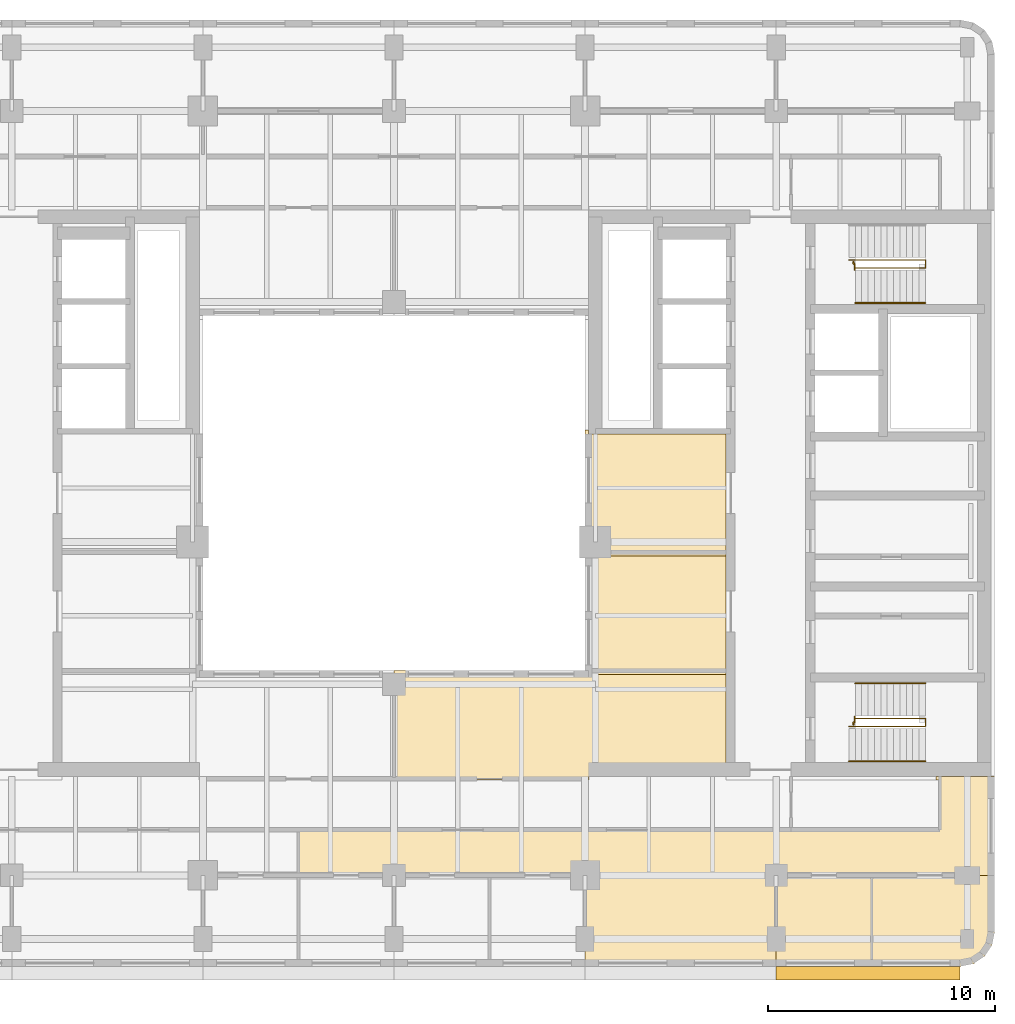
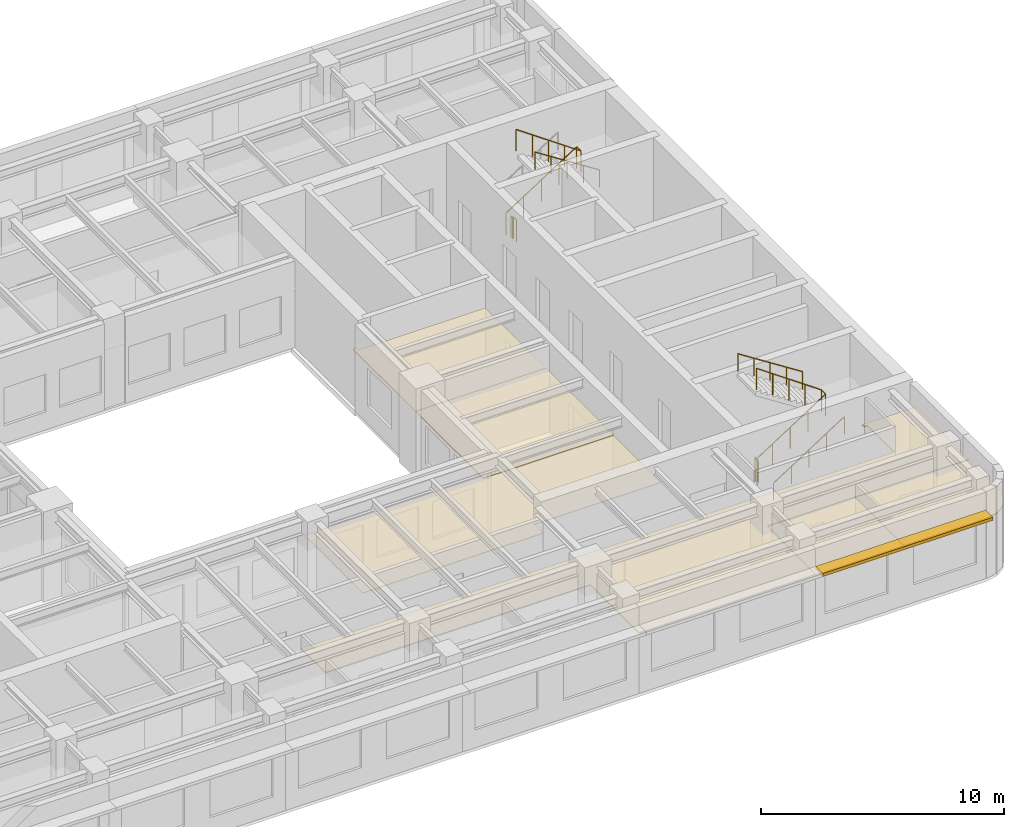
# One storey, part 10 of 11: 7 railings, 6 coverings, 1 shading device.
"""IFC4 building model written with IfcOpenShell, lengths in metres."""

from ifc_helpers import new_model, si_unit, direction, frame, origin, origin_2d, place, context, subcontext, project, spatial, polyline, rectangle, circle, outline, extrude, material, layer, layer_set, type_object, element, save


model = new_model("IFC4")

# Units and contexts
model_context = context("Model", 3, precision=1e-05, world=origin(), true_north=direction((0.0, 1.0)))
body_context = subcontext(model_context, "Body", "Model", "MODEL_VIEW")
ifc_project = project(units=[si_unit("LENGTHUNIT", "METRE"), si_unit("AREAUNIT", "SQUARE_METRE"), si_unit("VOLUMEUNIT", "CUBIC_METRE"), si_unit("PLANEANGLEUNIT", "RADIAN"), si_unit("MASSUNIT", "GRAM", prefix="KILO")], contexts=[model_context])

# Site, building, storey
site_placement = place(None, origin())
site = spatial("IfcSite", under=ifc_project, at=site_placement, CompositionType="ELEMENT")
building_placement = place(site_placement, origin())
building = spatial("IfcBuilding", under=site, at=building_placement, Name="Claustro Exchange Tower", CompositionType="ELEMENT")
storey_placement = place(building_placement, frame((0.0, 0.0, 263.699951171875)))
storey = spatial("IfcBuildingStorey", under=building, at=storey_placement, Name="L60", CompositionType="ELEMENT", Elevation=263.699951171875)

# Coverings
ifc_material_1 = material(Name="Gypsum board ceiling", Category="gypsum board")
ifc_layer_1 = layer(ifc_material_1, 0.02490234375)
ifc_layer_set_1 = layer_set([ifc_layer_1], Name="Gypsum board ceiling")
covering_type_1 = type_object("IfcCoveringType", Name="CL2 plasterboard ceiling", PredefinedType="CEILING", material=ifc_layer_set_1)
covering_1_placement = place(storey_placement, frame((0.0, 0.0, 3.0)))
element("IfcCovering", 1, at=covering_1_placement, inside=storey, type_object=covering_type_1, Name="Ceiling CL2 L60-06", PredefinedType="CEILING", context=body_context, shape_type="SweptSolid", body=[
    extrude(outline(polyline([(42.0, 4.39990234375), (46.199951171875, 4.39990234375), (46.199951171875, 8.39990234375), (42.0, 8.39990234375), (42.0, 4.39990234375)])), origin(), (0.0, 0.0, 1.0), 0.025146484375),
])
covering_2_placement = place(storey_placement, frame((0.0, 0.0, 3.0)))
element("IfcCovering", 2, at=covering_2_placement, inside=storey, type_object=covering_type_1, Name="Ceiling CL2 L60-07", PredefinedType="CEILING", context=body_context, shape_type="SweptSolid", body=[
    extrude(outline(polyline([(51.60009765625, 5.89990234375), (51.60009765625, 8.39990234375), (46.199951171875, 8.39990234375), (46.199951171875, 4.39990234375), (50.10009765625, 4.39990234375), (50.674072265625, 4.51416015625), (51.16064453125, 4.83935546875), (51.48583984375, 5.325927734375), (51.60009765625, 5.89990234375)])), origin(), (0.0, 0.0, 1.0), 0.025146484375),
])
covering_3_placement = place(storey_placement, frame((0.0, 0.0, 3.0)))
element("IfcCovering", 3, at=covering_3_placement, inside=storey, type_object=covering_type_1, Name="Ceiling CL2 L60-13", PredefinedType="CEILING", context=body_context, shape_type="SweptSolid", body=[
    extrude(outline(polyline([(39.800048828125, 13.330078125), (39.800048828125, 17.570068359375), (33.60009765625, 17.570068359375), (33.60009765625, 17.39990234375), (25.199951171875, 17.39990234375), (25.199951171875, 12.60009765625), (33.77001953125, 12.60009765625), (33.77001953125, 13.330078125), (39.800048828125, 13.330078125)])), origin(), (0.0, 0.0, 1.0), 0.025146484375),
])
covering_4_placement = place(storey_placement, frame((0.0, 0.0, 3.0)))
element("IfcCovering", 4, at=covering_4_placement, inside=storey, type_object=covering_type_1, Name="Ceiling CL2 L60-17", PredefinedType="CEILING", context=body_context, shape_type="SweptSolid", body=[
    extrude(outline(polyline([(33.60009765625, 27.969970703125), (33.60009765625, 22.429931640625), (39.800048828125, 22.429931640625), (39.800048828125, 27.800048828125), (33.75, 27.800048828125), (33.75, 27.969970703125), (33.60009765625, 27.969970703125)])), origin(), (0.0, 0.0, 1.0), 0.025146484375),
])
ifc_material_2 = material(Name="Oak slats on acoustic backing", Category="wood")
ifc_layer_2 = layer(ifc_material_2, 0.050048828125)
ifc_layer_set_2 = layer_set([ifc_layer_2], Name="Oak slats on acoustic backing")
covering_type_2 = type_object("IfcCoveringType", Name="CL3 timber slat ceiling", PredefinedType="CEILING", material=ifc_layer_set_2)
covering_5_placement = place(storey_placement, frame((0.0, 0.0, 3.0)))
element("IfcCovering", 5, at=covering_5_placement, inside=storey, type_object=covering_type_2, Name="Ceiling CL3 L60-09", PredefinedType="CEILING", context=body_context, shape_type="SweptSolid", body=[
    extrude(outline(polyline([(51.60009765625, 8.39990234375), (51.60009765625, 12.77001953125), (51.449951171875, 12.77001953125), (51.449951171875, 12.75), (49.030029296875, 12.75), (49.030029296875, 12.60009765625), (49.199951171875, 12.60009765625), (49.199951171875, 10.39990234375), (21.0, 10.39990234375), (21.0, 8.39990234375), (33.60009765625, 8.39990234375), (33.60009765625, 4.39990234375), (42.0, 4.39990234375), (42.0, 8.39990234375), (51.60009765625, 8.39990234375)])), origin(), (0.0, 0.0, 1.0), 0.050048828125),
])
covering_6_placement = place(storey_placement, frame((0.0, 0.0, 3.0)))
element("IfcCovering", 6, at=covering_6_placement, inside=storey, type_object=covering_type_2, Name="Ceiling CL3 L60-15", PredefinedType="CEILING", context=body_context, shape_type="SweptSolid", body=[
    extrude(outline(polyline([(33.60009765625, 22.77001953125), (33.60009765625, 17.22998046875), (39.800048828125, 17.22998046875), (39.800048828125, 22.77001953125), (33.60009765625, 22.77001953125)])), origin(), (0.0, 0.0, 1.0), 0.050048828125),
])

# Railings
ifc_material_3 = material(Name="Steel balustrade, painted", Category="steel")
railing_type_1 = type_object("IfcRailingType", Name="GR2 1100 steel stair guard", PredefinedType="GUARDRAIL", material=ifc_material_3)
railing_1_placement = place(storey_placement, frame((45.199951171875, 14.949951171875, 0.179931640625)))
element("IfcRailing", 7, at=railing_1_placement, inside=storey, type_object=railing_type_1, Name="Stair well guard GR2 stair STEA L60", PredefinedType="GUARDRAIL", context=body_context, shape_type="SweptSolid", body=[
    extrude(circle(Radius=0.02392578125, at=origin_2d()), frame((0.0, 0.0, 1.076171875), z_axis=(0.8411685463, 0.0, 0.540773036232), x_axis=(0.0, 1.0, 0.0)), (0.0, 0.0, 1.0), 3.99462890625),
    extrude(circle(Radius=0.02392578125, at=origin_2d()), frame((3.360107421875, 0.0, 3.236328125), z_axis=(0.0, 1.0, 0.0), x_axis=(-1.0, 0.0, 0.0)), (0.0, 0.0, 1.0), 0.35009765625),
    extrude(circle(Radius=0.02392578125, at=origin_2d()), frame((3.360107421875, 0.35009765625, 3.236328125), z_axis=(-0.8187499073, 0.0, 0.574150319426), x_axis=(0.0, -1.0, 0.0)), (0.0, 0.0, 1.0), 3.761962890625),
    extrude(circle(Radius=0.02099609375, at=origin_2d()), origin(), (0.0, 0.0, 1.0), 1.052001953125),
    extrude(circle(Radius=0.02099609375, at=origin_2d()), frame((0.840087890625, 0.0, 0.5400390625)), (0.0, 0.0, 1.0), 1.052001953125),
    extrude(circle(Radius=0.02099609375, at=origin_2d()), frame((1.68017578125, 0.0, 1.080078125)), (0.0, 0.0, 1.0), 1.052001953125),
    extrude(circle(Radius=0.02099609375, at=origin_2d()), frame((2.52001953125, 0.0, 1.6201171875)), (0.0, 0.0, 1.0), 1.052001953125),
    extrude(circle(Radius=0.02099609375, at=origin_2d()), frame((3.360107421875, 0.0, 2.16015625)), (0.0, 0.0, 1.0), 1.052001953125),
    extrude(circle(Radius=0.02099609375, at=origin_2d()), frame((3.360107421875, 0.35009765625, 2.16015625)), (0.0, 0.0, 1.0), 1.052001953125),
    extrude(circle(Radius=0.02099609375, at=origin_2d()), frame((2.590087890625, 0.35009765625, 2.7001953125)), (0.0, 0.0, 1.0), 1.052001953125),
    extrude(circle(Radius=0.02099609375, at=origin_2d()), frame((1.820068359375, 0.35009765625, 3.240234375)), (0.0, 0.0, 1.0), 1.052001953125),
    extrude(circle(Radius=0.02099609375, at=origin_2d()), frame((1.050048828125, 0.35009765625, 3.780029296875)), (0.0, 0.0, 1.0), 1.052001953125),
    extrude(circle(Radius=0.02099609375, at=origin_2d()), frame((0.280029296875, 0.35009765625, 4.320068359375)), (0.0, 0.0, 1.0), 1.052001953125),
])
railing_2_placement = place(storey_placement, frame((45.39990234375, 15.02001953125, 0.0)))
element("IfcRailing", 8, at=railing_2_placement, inside=storey, type_object=railing_type_1, Name="Stair guard GR2 STEA L60", PredefinedType="GUARDRAIL", context=body_context, shape_type="SweptSolid", body=[
    extrude(circle(Radius=0.02392578125, at=origin_2d()), frame((0.0, 0.0, 1.076171875), z_axis=(0.0, 1.0, 0.0), x_axis=(-1.0, 0.0, 0.0)), (0.0, 0.0, 1.0), 0.10498046875),
    extrude(circle(Radius=0.02392578125, at=origin_2d()), frame((0.0, 0.10498046875, 1.076171875), z_axis=(1.0, 0.0, 0.0), x_axis=(0.0, 1.0, 0.0)), (0.0, 0.0, 1.0), 0.05517578125),
    extrude(circle(Radius=0.02392578125, at=origin_2d()), frame((0.05517578125, 0.10498046875, 1.076171875), z_axis=(0.0, 1.0, 0.0), x_axis=(-1.0, 0.0, 0.0)), (0.0, 0.0, 1.0), 0.2548828125),
    extrude(circle(Radius=0.02099609375, at=origin_2d()), origin(), (0.0, 0.0, 1.0), 1.052001953125),
    extrude(circle(Radius=0.02099609375, at=origin_2d()), frame((0.0, 0.10498046875, 0.0)), (0.0, 0.0, 1.0), 1.052001953125),
    extrude(circle(Radius=0.02099609375, at=origin_2d()), frame((0.05517578125, 0.10498046875, 0.0)), (0.0, 0.0, 1.0), 1.052001953125),
    extrude(circle(Radius=0.02099609375, at=origin_2d()), frame((0.05517578125, 0.35986328125, 0.0)), (0.0, 0.0, 1.0), 1.052001953125),
])
railing_3_placement = place(storey_placement, frame((45.199951171875, 35.449951171875, 0.179931640625)))
element("IfcRailing", 9, at=railing_3_placement, inside=storey, type_object=railing_type_1, Name="Stair well guard GR2 stair STEB L60", PredefinedType="GUARDRAIL", context=body_context, shape_type="SweptSolid", body=[
    extrude(circle(Radius=0.02392578125, at=origin_2d()), frame((0.0, 0.0, 1.076171875), z_axis=(0.8411685463, 0.0, 0.540773036232), x_axis=(0.0, 1.0, 0.0)), (0.0, 0.0, 1.0), 3.99462890625),
    extrude(circle(Radius=0.02392578125, at=origin_2d()), frame((3.360107421875, 0.0, 3.236328125), z_axis=(0.0, -1.0, 0.0), x_axis=(1.0, 0.0, 0.0)), (0.0, 0.0, 1.0), 0.349853515625),
    extrude(circle(Radius=0.02392578125, at=origin_2d()), frame((3.360107421875, -0.349853515625, 3.236328125), z_axis=(-0.8187499073, 0.0, 0.574150319426), x_axis=(0.0, -1.0, 0.0)), (0.0, 0.0, 1.0), 3.761962890625),
    extrude(circle(Radius=0.02099609375, at=origin_2d()), origin(), (0.0, 0.0, 1.0), 1.052001953125),
    extrude(circle(Radius=0.02099609375, at=origin_2d()), frame((0.840087890625, 0.0, 0.5400390625)), (0.0, 0.0, 1.0), 1.052001953125),
    extrude(circle(Radius=0.02099609375, at=origin_2d()), frame((1.68017578125, 0.0, 1.080078125)), (0.0, 0.0, 1.0), 1.052001953125),
    extrude(circle(Radius=0.02099609375, at=origin_2d()), frame((2.52001953125, 0.0, 1.6201171875)), (0.0, 0.0, 1.0), 1.052001953125),
    extrude(circle(Radius=0.02099609375, at=origin_2d()), frame((3.360107421875, 0.0, 2.16015625)), (0.0, 0.0, 1.0), 1.052001953125),
    extrude(circle(Radius=0.02099609375, at=origin_2d()), frame((3.360107421875, -0.349853515625, 2.16015625)), (0.0, 0.0, 1.0), 1.052001953125),
    extrude(circle(Radius=0.02099609375, at=origin_2d()), frame((2.590087890625, -0.349853515625, 2.7001953125)), (0.0, 0.0, 1.0), 1.052001953125),
    extrude(circle(Radius=0.02099609375, at=origin_2d()), frame((1.820068359375, -0.349853515625, 3.240234375)), (0.0, 0.0, 1.0), 1.052001953125),
    extrude(circle(Radius=0.02099609375, at=origin_2d()), frame((1.050048828125, -0.349853515625, 3.780029296875)), (0.0, 0.0, 1.0), 1.052001953125),
    extrude(circle(Radius=0.02099609375, at=origin_2d()), frame((0.280029296875, -0.349853515625, 4.320068359375)), (0.0, 0.0, 1.0), 1.052001953125),
])
railing_4_placement = place(storey_placement, frame((45.39990234375, 35.3798828125, 0.0)))
element("IfcRailing", 10, at=railing_4_placement, inside=storey, type_object=railing_type_1, Name="Stair guard GR2 STEB L60", PredefinedType="GUARDRAIL", context=body_context, shape_type="SweptSolid", body=[
    extrude(circle(Radius=0.02392578125, at=origin_2d()), frame((0.0, 0.0, 1.076171875), z_axis=(0.0, -1.0, 0.0), x_axis=(1.0, 0.0, 0.0)), (0.0, 0.0, 1.0), 0.10498046875),
    extrude(circle(Radius=0.02392578125, at=origin_2d()), frame((0.0, -0.10498046875, 1.076171875), z_axis=(1.0, 0.0, 0.0), x_axis=(0.0, 1.0, 0.0)), (0.0, 0.0, 1.0), 0.05517578125),
    extrude(circle(Radius=0.02392578125, at=origin_2d()), frame((0.05517578125, -0.10498046875, 1.076171875), z_axis=(0.0, -1.0, 0.0), x_axis=(1.0, 0.0, 0.0)), (0.0, 0.0, 1.0), 0.2548828125),
    extrude(circle(Radius=0.02099609375, at=origin_2d()), origin(), (0.0, 0.0, 1.0), 1.052001953125),
    extrude(circle(Radius=0.02099609375, at=origin_2d()), frame((0.0, -0.10498046875, 0.0)), (0.0, 0.0, 1.0), 1.052001953125),
    extrude(circle(Radius=0.02099609375, at=origin_2d()), frame((0.05517578125, -0.10498046875, 0.0)), (0.0, 0.0, 1.0), 1.052001953125),
    extrude(circle(Radius=0.02099609375, at=origin_2d()), frame((0.05517578125, -0.35986328125, 0.0)), (0.0, 0.0, 1.0), 1.052001953125),
])
ifc_material_4 = material(Name="Stainless steel tube", Category="steel")
railing_type_2 = type_object("IfcRailingType", Name="HR1 900 stair handrail", PredefinedType="HANDRAIL", material=ifc_material_4)
railing_5_placement = place(storey_placement, frame((45.199951171875, 13.409912109375, 0.179931640625)))
element("IfcRailing", 11, at=railing_5_placement, inside=storey, type_object=railing_type_2, Name="Handrail HR1 stair STEA L60", PredefinedType="HANDRAIL", context=body_context, shape_type="SweptSolid", body=[
    extrude(circle(Radius=0.02392578125, at=origin_2d()), frame((0.0, 0.0, 0.8759765625), z_axis=(0.8411685463, 0.0, 0.540773036232), x_axis=(0.0, 1.0, 0.0)), (0.0, 0.0, 1.0), 3.99462890625),
    extrude(circle(Radius=0.02099609375, at=origin_2d()), origin(), (0.0, 0.0, 1.0), 0.851806640625),
    extrude(circle(Radius=0.02099609375, at=origin_2d()), frame((0.840087890625, 0.0, 0.5400390625)), (0.0, 0.0, 1.0), 0.851806640625),
    extrude(circle(Radius=0.02099609375, at=origin_2d()), frame((1.68017578125, 0.0, 1.080078125)), (0.0, 0.0, 1.0), 0.851806640625),
    extrude(circle(Radius=0.02099609375, at=origin_2d()), frame((2.52001953125, 0.0, 1.6201171875)), (0.0, 0.0, 1.0), 0.851806640625),
    extrude(circle(Radius=0.02099609375, at=origin_2d()), frame((3.360107421875, 0.0, 2.16015625)), (0.0, 0.0, 1.0), 0.851806640625),
])
for number, where, name in (
    (12, (48.56005859375, 16.840087890625, 2.52001953125), "Handrail HR1 stair STEA L60"),
    (13, (48.56005859375, 33.56005859375, 2.52001953125), "Handrail HR1 stair STEB L60"),
):
    element("IfcRailing", number, at=place(storey_placement, frame(where)), inside=storey, type_object=railing_type_2, Name=name, PredefinedType="HANDRAIL", context=body_context, shape_type="SweptSolid", body=[
        extrude(circle(Radius=0.02392578125, at=origin_2d()), frame((0.0, 0.0, 0.8759765625), z_axis=(-0.84118714077, 0.0, 0.540744111576), x_axis=(0.0, -1.0, 0.0)), (0.0, 0.0, 1.0), 3.66162109375),
        extrude(circle(Radius=0.02099609375, at=origin_2d()), origin(), (0.0, 0.0, 1.0), 0.851806640625),
        extrude(circle(Radius=0.02099609375, at=origin_2d()), frame((-0.77001953125, 0.0, 0.4951171875)), (0.0, 0.0, 1.0), 0.851806640625),
        extrude(circle(Radius=0.02099609375, at=origin_2d()), frame((-1.5400390625, 0.0, 0.989990234375)), (0.0, 0.0, 1.0), 0.851806640625),
        extrude(circle(Radius=0.02099609375, at=origin_2d()), frame((-2.31005859375, 0.0, 1.48486328125)), (0.0, 0.0, 1.0), 0.851806640625),
        extrude(circle(Radius=0.02099609375, at=origin_2d()), frame((-3.080078125, 0.0, 1.97998046875)), (0.0, 0.0, 1.0), 0.851806640625),
    ])

# Shading device
ifc_material_5 = material(Name="Concrete HA-40 (C40/50), precast, white cement, acid-etched", Category="concrete")
ifc_layer_3 = layer(ifc_material_5, 0.14990234375)
ifc_layer_set_3 = layer_set([ifc_layer_3], Name="Concrete HA-40 (C40/50), precast, white cement, acid-etched")
shading_device_type = type_object("IfcShadingDeviceType", Name="SS1 600 precast concrete SUNSHADE", PredefinedType="SHUTTER", material=ifc_layer_set_3)
shading_device_placement = place(storey_placement, frame((46.04248046875, 4.10009765625, 3.300048828125), z_axis=(0.0, 0.0, 1.0), x_axis=(-1.0, 0.0, 0.0)))
element("IfcShadingDevice", 14, at=shading_device_placement, inside=storey, type_object=shading_device_type, Name="Precast SUNSHADE SS1 L60", PredefinedType="SHUTTER", context=body_context, shape_type="SweptSolid", body=[
    extrude(rectangle(XDim=8.085205078125, YDim=0.60009765625, at=origin_2d()), origin(), (0.0, 0.0, 1.0), 0.14990234375),
])

save(model, "model.ifc")
